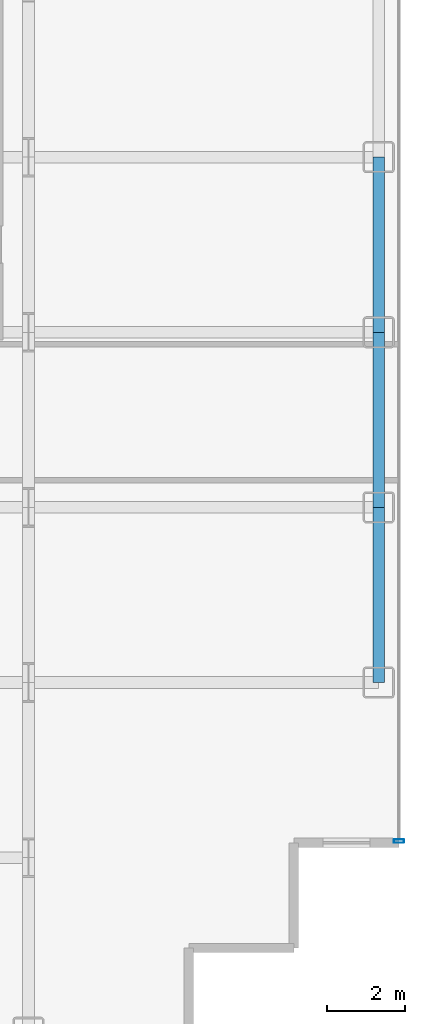
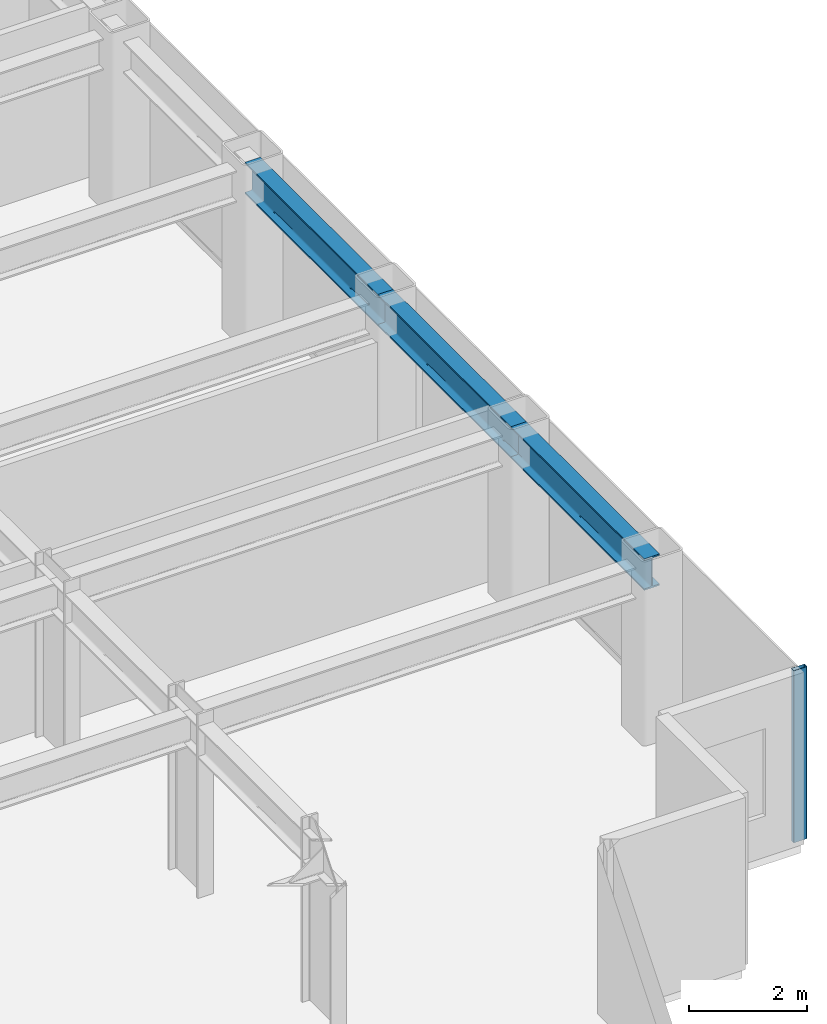
# One storey, part 16 of 26: 3 beams, 1 member, 1 element without a shape of its own.
"""IFC4 building model written with IfcOpenShell, lengths in metres."""

from ifc_helpers import new_model, si_unit, direction, frame, origin, origin_2d, place, context, subcontext, project, spatial, hollow_rectangle, i_section, extrude, source, transform, mapped, material, layer, layer_set, material_profile, profile_set, type_object, element, aggregate, save


model = new_model("IFC4")

# Units and contexts
model_context = context("Model", 3, precision=1e-05, world=origin(), true_north=direction((0.0, 1.0)))
body_context = subcontext(model_context, "Body", "Model", "MODEL_VIEW")
ifc_project = project(units=[si_unit("LENGTHUNIT", "METRE"), si_unit("AREAUNIT", "SQUARE_METRE"), si_unit("VOLUMEUNIT", "CUBIC_METRE"), si_unit("PLANEANGLEUNIT", "RADIAN"), si_unit("MASSUNIT", "GRAM", prefix="KILO")], contexts=[model_context])

# Site, building, storey
site_placement = place(None, origin())
site = spatial("IfcSite", under=ifc_project, at=site_placement, CompositionType="ELEMENT")
building_placement = place(site_placement, origin())
building = spatial("IfcBuilding", under=site, at=building_placement, Name="Nefas-Gora Pilgrimage Tower", CompositionType="ELEMENT")
storey_placement = place(building_placement, frame((0.0, 0.0, 128.800048828125)))
storey = spatial("IfcBuildingStorey", under=building, at=storey_placement, Name="L31", CompositionType="ELEMENT", Elevation=128.800048828125)

# Beams
ifc_material_1 = material(Name="Steel S355", Category="steel")
ifc_material_profile_1 = material_profile(ifc_material_1, i_section(OverallWidth=0.300048828125, OverallDepth=0.64990234375, WebThickness=0.01611328125, FlangeThickness=0.031005859375, FilletRadius=0.027099609375, at=origin_2d()), Name="HEB 650")
ifc_profile_set_1 = profile_set([ifc_material_profile_1], Name="Steel S355")
beam_type = type_object("IfcBeamType", Name="BM-SPN-HEB500", PredefinedType="SPANDREL", material=ifc_profile_set_1)
shared_shape_1 = source(origin(), body_context, "Body", "SweptSolid", [
    extrude(i_section(OverallWidth=0.300048828125, OverallDepth=0.64990234375, WebThickness=0.01611328125, FlangeThickness=0.031005859375, FilletRadius=0.027099609375, at=origin_2d()), origin(), (0.0, 0.0, 1.0), 4.5),
])
for number, where, z_axis, x_axis, name in (
    (1, (33.75, -13.5, 3.224853515625), (0.0, 1.0, 0.0), (-1.0, 0.0, 0.0), "L31 SP-02 beam"),
    (2, (33.75, -9.0, 3.224853515625), (0.0, 1.0, 0.0), (-1.0, 0.0, 0.0), "L31 SP-02 beam"),
    (3, (33.75, -4.5, 3.224853515625), (0.0, 1.0, 0.0), (-1.0, 0.0, 0.0), "L31 SP-02 beam"),
):
    element("IfcBeam", number, at=place(storey_placement, frame(where, z_axis=z_axis, x_axis=x_axis)), inside=storey, type_object=beam_type, Name=name, PredefinedType="SPANDREL", context=body_context, shape_type="MappedRepresentation", body=[
        mapped(shared_shape_1, transform((0.0, 0.0, 0.0), x_axis=(1.0, 0.0, 0.0), y_axis=(0.0, 1.0, 0.0), z_axis=(0.0, 0.0, 1.0), scale=1.0)),
    ])

# Curtain wall, member
ifc_material_2 = material(Name="Dark ceramic-fritted solar-control aluminium-glass curtain wall", Category="aluminium")
ifc_layer = layer(ifc_material_2, 0.219970703125)
ifc_layer_set = layer_set([ifc_layer], Name="Dark ceramic-fritted solar-control aluminium-glass curtain wall")
curtain_wall_type = type_object("IfcCurtainWallType", Name="CW-SYS-2", PredefinedType="NOTDEFINED", material=ifc_layer_set)
curtain_wall_placement = place(storey_placement, origin())
curtain_wall = element("IfcCurtainWall", 4, at=curtain_wall_placement, inside=storey, type_object=curtain_wall_type, Name="L31 Unitised Curtain Wall CW2", PredefinedType="NOTDEFINED")
ifc_material_3 = material(Name="Anodised architectural aluminium", Category="aluminium")
ifc_material_profile_2 = material_profile(ifc_material_3, hollow_rectangle(XDim=0.090087890625, YDim=0.260009765625, WallThickness=0.006103515625, InnerFilletRadius=0.006103515625, OuterFilletRadius=0.011962890625, at=origin_2d()), Name="ALU MULLION 90x260")
ifc_profile_set_2 = profile_set([ifc_material_profile_2], Name="Anodised architectural aluminium")
member_type = type_object("IfcMemberType", Name="CWM-MUL-2", PredefinedType="MULLION", material=ifc_profile_set_2)
shared_shape_2 = source(origin(), body_context, "Body", "SweptSolid", [
    extrude(hollow_rectangle(XDim=0.090087890625, YDim=0.260009765625, WallThickness=0.006103515625, InnerFilletRadius=0.006103515625, OuterFilletRadius=0.011962890625, at=origin_2d()), origin(), (0.0, 0.0, 1.0), 3.550048828125),
])
member_placement = place(storey_placement, frame((34.27001953125, -17.574951171875, 0.0), z_axis=(0.0, 0.0, 1.0), x_axis=(0.0, 1.0, 0.0)))
member = element("IfcMember", 5, at=member_placement, type_object=member_type, Name="CW2 Mullion 1", PredefinedType="MULLION", context=body_context, shape_type="MappedRepresentation", body=[
    mapped(shared_shape_2, transform((0.0, 0.0, 0.0), x_axis=(1.0, 0.0, 0.0), y_axis=(0.0, 1.0, 0.0), z_axis=(0.0, 0.0, 1.0), scale=1.0)),
])
aggregate(curtain_wall, [member])

save(model, "model.ifc")
